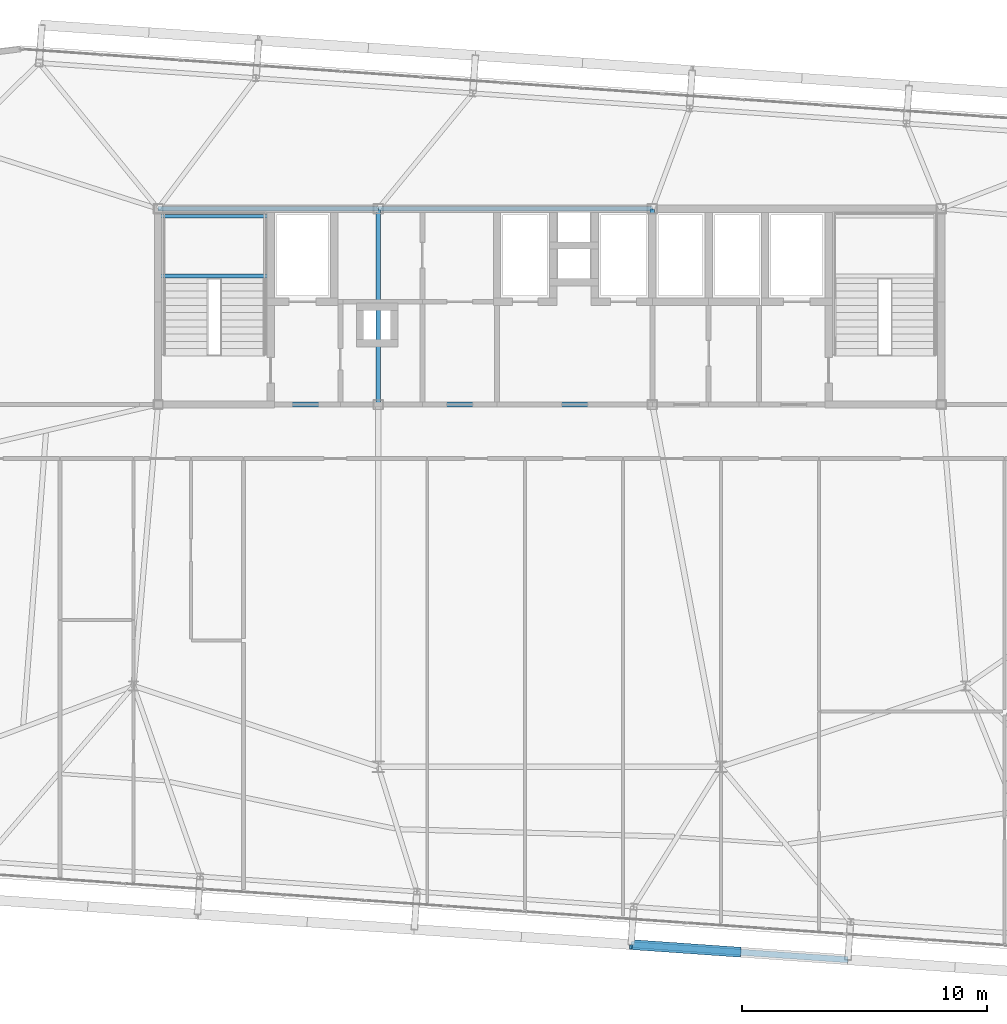
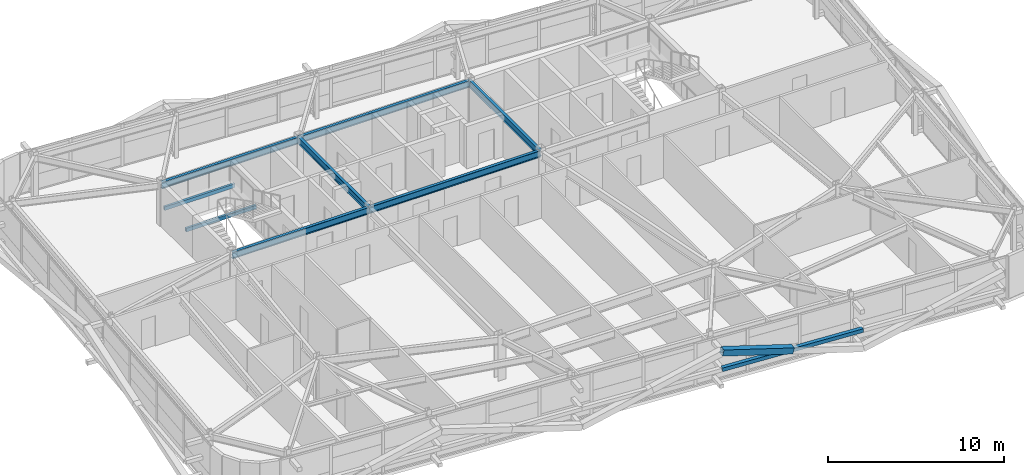
# One storey, part 17 of 47: 8 beams, 2 members.
"""IFC4 building model written with IfcOpenShell, lengths in metres."""

from ifc_helpers import new_model, si_unit, direction, frame, origin, origin_2d, place, context, subcontext, project, spatial, hollow_rectangle, i_section, extrude, source, transform, mapped, material, material_profile, profile_set, type_object, element, save


model = new_model("IFC4")

# Units and contexts
model_context = context("Model", 3, precision=1e-05, world=origin(), true_north=direction((0.0, 1.0)))
body_context = subcontext(model_context, "Body", "Model", "MODEL_VIEW")
ifc_project = project(units=[si_unit("LENGTHUNIT", "METRE"), si_unit("AREAUNIT", "SQUARE_METRE"), si_unit("VOLUMEUNIT", "CUBIC_METRE"), si_unit("PLANEANGLEUNIT", "RADIAN"), si_unit("MASSUNIT", "GRAM", prefix="KILO")], contexts=[model_context])

# Site, building, storey
site_placement = place(None, origin())
site = spatial("IfcSite", under=ifc_project, at=site_placement, CompositionType="ELEMENT")
building_placement = place(site_placement, origin())
building = spatial("IfcBuilding", under=site, at=building_placement, Name="Taldren Reach Tower", CompositionType="ELEMENT")
storey_placement = place(building_placement, frame((0.0, 0.0, 139.300048828125)))
storey = spatial("IfcBuildingStorey", under=building, at=storey_placement, Name="L42", CompositionType="ELEMENT", Elevation=139.300048828125)

# Beams
ifc_material_1 = material(Name="Steel Gr 350 (350PLUS)", Category="steel")
ifc_material_profile_1 = material_profile(ifc_material_1, i_section(OverallWidth=0.19091796875, OverallDepth=0.4599609375, WebThickness=0.010009765625, FlangeThickness=0.01611328125, at=origin_2d()), Name="460UB82.1")
ifc_profile_set_1 = profile_set([ifc_material_profile_1], Name="Steel Gr 350 (350PLUS)")
beam_type_1 = type_object("IfcBeamType", Name="BM-UB460A", PredefinedType="BEAM", material=ifc_profile_set_1)
shared_shape_1 = source(origin(), body_context, "Body", "SweptSolid", [
    extrude(i_section(OverallWidth=0.19091796875, OverallDepth=0.4599609375, WebThickness=0.010009765625, FlangeThickness=0.01611328125, at=origin_2d()), origin(), (0.0, 0.0, 1.0), 9.0),
])
for number, where, z_axis, x_axis, name in (
    (1, (19.0, 24.0, 2.699951171875), (1.0, 0.0, 0.0), (0.0, 1.0, 0.0), "Core-spine girder L42-SP01"),
    (2, (19.0, 32.0, 2.699951171875), (1.0, 0.0, 0.0), (0.0, 1.0, 0.0), "Core-spine girder L42-SP04"),
):
    element("IfcBeam", number, at=place(storey_placement, frame(where, z_axis=z_axis, x_axis=x_axis)), inside=storey, type_object=beam_type_1, Name=name, PredefinedType="BEAM", context=body_context, shape_type="MappedRepresentation", body=[
        mapped(shared_shape_1, transform((0.0, 0.0, 0.0), scale=1.0)),
    ])
shared_shape_2 = source(origin(), body_context, "Body", "SweptSolid", [
    extrude(i_section(OverallWidth=0.19091796875, OverallDepth=0.4599609375, WebThickness=0.010009765625, FlangeThickness=0.01611328125, at=origin_2d()), origin(), (0.0, 0.0, 1.0), 11.199951171875),
])
for number, where, z_axis, x_axis, name in (
    (3, (28.0, 24.0, 2.699951171875), (1.0, 0.0, 0.0), (0.0, 1.0, 0.0), "Core-spine girder L42-SP02"),
    (4, (28.0, 32.0, 2.699951171875), (1.0, 0.0, 0.0), (0.0, 1.0, 0.0), "Core-spine girder L42-SP05"),
):
    element("IfcBeam", number, at=place(storey_placement, frame(where, z_axis=z_axis, x_axis=x_axis)), inside=storey, type_object=beam_type_1, Name=name, PredefinedType="BEAM", context=body_context, shape_type="MappedRepresentation", body=[
        mapped(shared_shape_2, transform((0.0, 0.0, 0.0), scale=1.0)),
    ])
shared_shape_3 = source(origin(), body_context, "Body", "SweptSolid", [
    extrude(i_section(OverallWidth=0.19091796875, OverallDepth=0.4599609375, WebThickness=0.010009765625, FlangeThickness=0.01611328125, at=origin_2d()), origin(), (0.0, 0.0, 1.0), 8.0),
])
for number, where, z_axis, x_axis, name in (
    (5, (28.0, 24.0, 2.699951171875), (0.0, 1.0, 0.0), (-1.0, 0.0, 0.0), "Core-spine girder L42-SP07"),
    (6, (39.199951171875, 24.0, 2.699951171875), (0.0, 1.0, 0.0), (-1.0, 0.0, 0.0), "Core-spine girder L42-SP08"),
):
    element("IfcBeam", number, at=place(storey_placement, frame(where, z_axis=z_axis, x_axis=x_axis)), inside=storey, type_object=beam_type_1, Name=name, PredefinedType="BEAM", context=body_context, shape_type="MappedRepresentation", body=[
        mapped(shared_shape_3, transform((0.0, 0.0, 0.0), scale=1.0)),
    ])

# Members
ifc_material_2 = material(Name="Steel Gr 350 (C350L0)", Category="steel")
ifc_material_profile_2 = material_profile(ifc_material_2, hollow_rectangle(XDim=0.25, YDim=0.25, WallThickness=0.010009765625, at=origin_2d()), Name="250x250x10.0SHS")
ifc_profile_set_2 = profile_set([ifc_material_profile_2], Name="Steel Gr 350 (C350L0)")
member_type_1 = type_object("IfcMemberType", Name="MB-POST250", PredefinedType="POST", material=ifc_profile_set_2)
shared_shape_4 = source(origin(), body_context, "Body", "SweptSolid", [
    extrude(hollow_rectangle(XDim=0.25, YDim=0.25, WallThickness=0.010009765625, at=origin_2d()), origin(), (0.0, 0.0, 1.0), 8.880126953125),
])
member_1_placement = place(storey_placement, frame((38.33056640625, 1.933837890625, 1.43505859375), z_axis=(0.997564479639, -0.069750333063, 0.0), x_axis=(0.069750333063, 0.997564479639, 0.0)))
element("IfcMember", 7, at=member_1_placement, inside=storey, type_object=member_type_1, Name="Exoskeleton mid-height ring chord B3-S4 L42", PredefinedType="POST", context=body_context, shape_type="MappedRepresentation", body=[
    mapped(shared_shape_4, transform((0.0, 0.0, 0.0), scale=1.0)),
])
ifc_material_3 = material(Name="Steel Gr 450 (C450L0)", Category="steel")
ifc_material_profile_3 = material_profile(ifc_material_3, hollow_rectangle(XDim=0.409912109375, YDim=0.409912109375, WallThickness=0.01611328125, at=origin_2d()), Name="410x410x16.0SHS")
ifc_profile_set_3 = profile_set([ifc_material_profile_3], Name="Steel Gr 450 (C450L0)")
member_type_2 = type_object("IfcMemberType", Name="MB-EXO406", PredefinedType="BRACE", material=ifc_profile_set_3)
shared_shape_5 = source(origin(), body_context, "Body", "SweptSolid", [
    extrude(hollow_rectangle(XDim=0.409912109375, YDim=0.409912109375, WallThickness=0.01611328125, at=origin_2d()), origin(), (0.0, 0.0, 1.0), 4.603271484375),
])
member_2_placement = place(storey_placement, frame((42.759765625, 1.624267578125, 1.43505859375), z_axis=(-0.962199253371, 0.067251055742, 0.263912660389), x_axis=(-0.069722973508, -0.997566392259, 0.0)))
element("IfcMember", 8, at=member_2_placement, inside=storey, type_object=member_type_2, Name="Exoskeleton Diagrid Brace B3-S4 L42", PredefinedType="BRACE", context=body_context, shape_type="MappedRepresentation", body=[
    mapped(shared_shape_5, transform((0.0, 0.0, 0.0), scale=1.0)),
])

# Beams
ifc_material_profile_4 = material_profile(ifc_material_2, hollow_rectangle(XDim=0.14990234375, YDim=0.25, WallThickness=0.009033203125, at=origin_2d()), Name="250x150x9.0RHS")
ifc_profile_set_4 = profile_set([ifc_material_profile_4], Name="Steel Gr 350 (C350L0)")
beam_type_2 = type_object("IfcBeamType", Name="LN-RHS250", PredefinedType="LINTEL", material=ifc_profile_set_4)
shared_shape_6 = source(origin(), body_context, "Body", "SweptSolid", [
    extrude(hollow_rectangle(XDim=0.14990234375, YDim=0.25, WallThickness=0.009033203125, at=origin_2d()), origin(), (0.0, 0.0, 1.0), 4.60009765625),
])
for number, where, z_axis, x_axis, name in (
    (9, (19.0, 29.2548828125, 1.27001953125), (1.0, 0.0, 0.0), (0.0, 1.0, 0.0), "Stair half-landing support beam ST1-L42-1"),
    (10, (19.0, 31.699951171875, 1.27001953125), (1.0, 0.0, 0.0), (0.0, 1.0, 0.0), "Stair half-landing support beam ST1-L42-2"),
):
    element("IfcBeam", number, at=place(storey_placement, frame(where, z_axis=z_axis, x_axis=x_axis)), inside=storey, type_object=beam_type_2, Name=name, PredefinedType="LINTEL", context=body_context, shape_type="MappedRepresentation", body=[
        mapped(shared_shape_6, transform((0.0, 0.0, 0.0), scale=1.0)),
    ])

save(model, "model.ifc")
